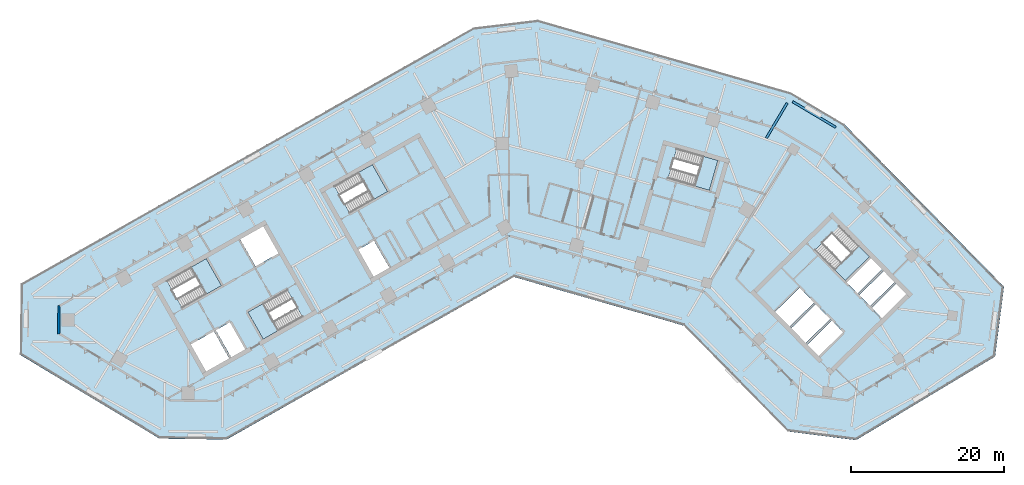
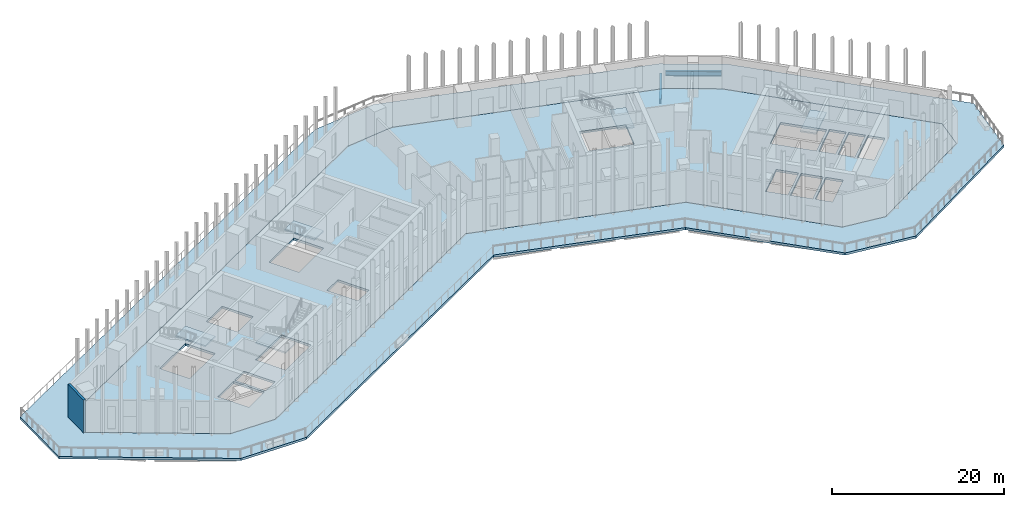
# One storey, part 4 of 17: 7 slabs, 2 beams, 1 wall, 5 elements without a shape of their own.
"""IFC4 building model written with IfcOpenShell, lengths in metres."""

from ifc_helpers import new_model, si_unit, direction, frame, frame_2d, origin, origin_2d, place, context, subcontext, project, spatial, polyline, rectangle, i_section, outline, extrude, material, layer, layer_set, material_profile, profile_set, type_object, element, aggregate, save


model = new_model("IFC4")

# Units and contexts
model_context = context("Model", 3, precision=1e-05, world=origin(), true_north=direction((0.0, 1.0)))
body_context = subcontext(model_context, "Body", "Model", "MODEL_VIEW")
ifc_project = project(units=[si_unit("LENGTHUNIT", "METRE"), si_unit("AREAUNIT", "SQUARE_METRE"), si_unit("VOLUMEUNIT", "CUBIC_METRE"), si_unit("PLANEANGLEUNIT", "RADIAN"), si_unit("MASSUNIT", "GRAM", prefix="KILO")], contexts=[model_context])

# Site, building, storey
site_placement = place(None, origin())
site = spatial("IfcSite", under=ifc_project, at=site_placement, CompositionType="ELEMENT")
building_placement = place(site_placement, origin())
building = spatial("IfcBuilding", under=site, at=building_placement, Name="Binnacle Exchange Tower", CompositionType="ELEMENT")
storey_placement = place(building_placement, frame((0.0, 0.0, 26.5)))
storey = spatial("IfcBuildingStorey", under=building, at=storey_placement, Name="L05", CompositionType="ELEMENT", Elevation=26.5)

# Beams
ifc_material_1 = material(Name="Steel S355 (SHN355)", Category="steel")
ifc_material_profile_1 = material_profile(ifc_material_1, i_section(OverallWidth=0.300048828125, OverallDepth=0.699951171875, WebThickness=0.012939453125, FlangeThickness=0.02392578125, FilletRadius=0.028076171875, at=origin_2d()), Name="H 700x300x13x24")
ifc_profile_set_1 = profile_set([ifc_material_profile_1], Name="Steel S355 (SHN355)")
beam_type_1 = type_object("IfcBeamType", Name="Edge girder H 700x300x13x24 Steel S355 (SHN355)", PredefinedType="SPANDREL", material=ifc_profile_set_1)
beam_1_placement = place(storey_placement, frame((36.972412109375, 65.474609375, -0.669921875), z_axis=(0.859408777726, -0.51128910879, 0.0), x_axis=(0.51128910879, 0.859408777726, 0.0)))
element("IfcBeam", 1, at=beam_1_placement, inside=storey, type_object=beam_type_1, Name="S:BM:edge:L05:063", PredefinedType="SPANDREL", context=body_context, shape_type="SweptSolid", body=[
    extrude(i_section(OverallWidth=0.300048828125, OverallDepth=0.699951171875, WebThickness=0.012939453125, FlangeThickness=0.02392578125, FilletRadius=0.028076171875, at=origin_2d()), origin(), (0.0, 0.0, 1.0), 6.546142578125),
])
ifc_material_profile_2 = material_profile(ifc_material_1, i_section(OverallWidth=0.300048828125, OverallDepth=0.699951171875, WebThickness=0.012939453125, FlangeThickness=0.02392578125, FilletRadius=0.028076171875, at=origin_2d()), Name="H 700x300x13x24")
ifc_profile_set_2 = profile_set([ifc_material_profile_2], Name="Steel S355 (SHN355)")
beam_type_2 = type_object("IfcBeamType", Name="Floor beam H 700x300x13x24 Steel S355 (SHN355)", PredefinedType="BEAM", material=ifc_profile_set_2)
beam_2_placement = place(storey_placement, frame((36.263916015625, 65.294677734375, -0.669921875), z_axis=(-0.511292595627, -0.859406703288, 0.0), x_axis=(0.859406703288, -0.511292595627, 0.0)))
element("IfcBeam", 2, at=beam_2_placement, inside=storey, type_object=beam_type_2, Name="S:BM:cross:L05:115", PredefinedType="BEAM", context=body_context, shape_type="SweptSolid", body=[
    extrude(i_section(OverallWidth=0.300048828125, OverallDepth=0.699951171875, WebThickness=0.012939453125, FlangeThickness=0.02392578125, FilletRadius=0.028076171875, at=origin_2d()), origin(), (0.0, 0.0, 1.0), 5.31884765625),
])

# Slab
ifc_material_2 = material(Name="Concrete C35/45", Category="concrete")
ifc_layer_1 = layer(ifc_material_2, 0.320068359375)
ifc_layer_set_1 = layer_set([ifc_layer_1], Name="Floor slab 320 Concrete C35/45")
slab_type_1 = type_object("IfcSlabType", Name="Floor slab 320 Concrete C35/45", PredefinedType="FLOOR", material=ifc_layer_set_1)
slab_1_placement = place(storey_placement, frame((0.0, 0.0, -0.320068359375)))
element("IfcSlab", 3, at=slab_1_placement, inside=storey, type_object=slab_type_1, Name="S:SL:L05:01", PredefinedType="FLOOR", context=body_context, shape_type="SweptSolid", body=[
    extrude(outline(polyline([(59.262939453125, 39.5791015625), (58.716064453125, 35.280029296875), (44.14404296875, 26.5244140625), (38.69091796875, 27.21826171875), (25.43603515625, 40.706298828125), (0.0, 48.0), (-38.097900390625, 26.4453125), (-44.14404296875, 26.5244140625), (-58.716064453125, 35.280029296875), (-58.669921875, 38.80615234375), (-3.046142578125, 70.276611328125), (3.364501953125, 71.035400390625), (34.789794921875, 62.024169921875), (40.607421875, 58.56298828125), (59.262939453125, 39.5791015625)]), holes=[polyline([(-38.4794921875, 35.529296875), (-41.61279296875, 33.756591796875), (-39.544677734375, 30.10107421875), (-36.411376953125, 31.873779296875), (-38.4794921875, 35.529296875)]), polyline([(-34.322509765625, 33.0556640625), (-36.390625, 36.711181640625), (-38.21826171875, 35.677001953125), (-36.150146484375, 32.021484375), (-34.322509765625, 33.0556640625)]), polyline([(-34.040771484375, 38.04052734375), (-32.04638671875, 34.515625), (-26.9287109375, 37.4111328125), (-28.923095703125, 40.93603515625), (-34.040771484375, 38.04052734375)]), polyline([(-37.486572265625, 41.4912109375), (-39.480712890625, 45.01611328125), (-44.598388671875, 42.12060546875), (-42.604248046875, 38.595703125), (-37.486572265625, 41.4912109375)]), polyline([(-15.53076171875, 43.6875), (-17.598876953125, 47.343017578125), (-19.77490234375, 46.11181640625), (-17.70654296875, 42.456298828125), (-15.53076171875, 43.6875)]), polyline([(-29.914306640625, 45.775390625), (-31.982666015625, 49.430908203125), (-35.115966796875, 47.657958984375), (-33.047607421875, 44.00244140625), (-29.914306640625, 45.775390625)]), polyline([(-15.822509765625, 53.748046875), (-17.81689453125, 57.27294921875), (-22.760498046875, 54.47607421875), (-20.76611328125, 50.950927734375), (-15.822509765625, 53.748046875)]), polyline([(26.111328125, 53.9169921875), (27.227783203125, 57.810302734375), (21.864013671875, 59.348388671875), (20.74755859375, 55.455078125), (26.111328125, 53.9169921875)]), polyline([(40.268798828125, 32.201904296875), (43.549560546875, 35.426025390625), (42.07763671875, 36.923828125), (38.796875, 33.69970703125), (40.268798828125, 32.201904296875)]), polyline([(38.58642578125, 33.913818359375), (41.867431640625, 37.137939453125), (39.97509765625, 39.063720703125), (36.694091796875, 35.83935546875), (38.58642578125, 33.913818359375)]), polyline([(36.48388671875, 36.053466796875), (39.7646484375, 39.277587890625), (37.872314453125, 41.203369140625), (34.59130859375, 37.979248046875), (36.48388671875, 36.053466796875)]), polyline([(48.726806640625, 37.148681640625), (52.0078125, 40.372802734375), (50.577880859375, 41.827880859375), (47.296875, 38.603759765625), (48.726806640625, 37.148681640625)]), polyline([(47.086669921875, 38.817626953125), (50.36767578125, 42.0419921875), (48.944580078125, 43.48974609375), (45.663818359375, 40.265625), (47.086669921875, 38.817626953125)]), polyline([(45.45361328125, 40.4794921875), (48.734375, 43.703857421875), (47.3115234375, 45.151611328125), (44.030517578125, 41.927490234375), (45.45361328125, 40.4794921875)]), polyline([(43.8203125, 42.141357421875), (46.994384765625, 45.260498046875), (43.083251953125, 49.240478515625), (39.9091796875, 46.121337890625), (43.8203125, 42.141357421875)])]), origin(), (0.0, 0.0, 1.0), 0.320068359375),
])

# Stair, slab
stair_type = type_object("IfcStairType", Name="STAIR 28 RISERS 179", PredefinedType="HALF_TURN_STAIR", material=ifc_material_2)
stair_1_placement = place(storey_placement, origin())
stair_1 = element("IfcStair", 4, at=stair_1_placement, inside=storey, type_object=stair_type, Name="L05 Escape stair A1", PredefinedType="HALF_TURN_STAIR")
ifc_layer_2 = layer(ifc_material_2, 0.199951171875)
ifc_layer_set_2 = layer_set([ifc_layer_2], Name="STAIR LANDING 200")
slab_type_2 = type_object("IfcSlabType", Name="STAIR LANDING 200", PredefinedType="LANDING", material=ifc_layer_set_2)
slab_2_placement = place(storey_placement, frame((0.0, 0.0, 2.300048828125)))
slab_2 = element("IfcSlab", 5, at=slab_2_placement, type_object=slab_type_2, Name="STA1 landing 1", PredefinedType="LANDING", context=body_context, shape_type="SweptSolid", body=[
    extrude(outline(polyline([(-39.470947265625, 40.368408203125), (-37.486572265625, 41.4912109375), (-39.48095703125, 45.01611328125), (-41.46533203125, 43.893310546875), (-39.470947265625, 40.368408203125)])), origin(), (0.0, 0.0, 1.0), 0.199951171875),
])
aggregate(stair_1, [slab_2])

stair_2_placement = place(storey_placement, origin())
stair_2 = element("IfcStair", 6, at=stair_2_placement, inside=storey, type_object=stair_type, Name="L05 Escape stair A2", PredefinedType="HALF_TURN_STAIR")
slab_3_placement = place(storey_placement, frame((0.0, 0.0, 2.300048828125)))
slab_3 = element("IfcSlab", 7, at=slab_3_placement, type_object=slab_type_2, Name="STA2 landing 1", PredefinedType="LANDING", context=body_context, shape_type="SweptSolid", body=[
    extrude(outline(polyline([(-32.05615234375, 39.163330078125), (-34.040771484375, 38.04052734375), (-32.04638671875, 34.515625), (-30.06201171875, 35.638427734375), (-32.05615234375, 39.163330078125)])), origin(), (0.0, 0.0, 1.0), 0.199951171875),
])
aggregate(stair_2, [slab_3])

stair_3_placement = place(storey_placement, origin())
stair_3 = element("IfcStair", 8, at=stair_3_placement, inside=storey, type_object=stair_type, Name="L05 Escape stair B1", PredefinedType="HALF_TURN_STAIR")
slab_4_placement = place(storey_placement, frame((0.0, 0.0, 2.300048828125)))
slab_4 = element("IfcSlab", 9, at=slab_4_placement, type_object=slab_type_2, Name="STB1 landing 1", PredefinedType="LANDING", context=body_context, shape_type="SweptSolid", body=[
    extrude(outline(polyline([(42.4326171875, 43.5537109375), (43.8203125, 42.141357421875), (46.994384765625, 45.260498046875), (45.606689453125, 46.672607421875), (42.4326171875, 43.5537109375)])), origin(), (0.0, 0.0, 1.0), 0.199951171875),
])
aggregate(stair_3, [slab_4])

stair_4_placement = place(storey_placement, origin())
stair_4 = element("IfcStair", 10, at=stair_4_placement, inside=storey, type_object=stair_type, Name="L05 Escape stair C1", PredefinedType="HALF_TURN_STAIR")
slab_5_placement = place(storey_placement, frame((0.0, 0.0, 2.300048828125)))
slab_5 = element("IfcSlab", 11, at=slab_5_placement, type_object=slab_type_2, Name="STC1 landing 1", PredefinedType="LANDING", context=body_context, shape_type="SweptSolid", body=[
    extrude(outline(polyline([(-17.6328125, 52.7236328125), (-15.822509765625, 53.748046875), (-17.81689453125, 57.27294921875), (-19.627197265625, 56.248779296875), (-17.6328125, 52.7236328125)])), origin(), (0.0, 0.0, 1.0), 0.199951171875),
])
aggregate(stair_4, [slab_5])

stair_5_placement = place(storey_placement, origin())
stair_5 = element("IfcStair", 12, at=stair_5_placement, inside=storey, type_object=stair_type, Name="L05 Escape stair D1", PredefinedType="HALF_TURN_STAIR")
slab_6_placement = place(storey_placement, frame((0.0, 0.0, 2.300048828125)))
slab_6 = element("IfcSlab", 13, at=slab_6_placement, type_object=slab_type_2, Name="STD1 landing 1", PredefinedType="LANDING", context=body_context, shape_type="SweptSolid", body=[
    extrude(outline(polyline([(24.2080078125, 54.462890625), (26.111328125, 53.917236328125), (27.227783203125, 57.810302734375), (25.324462890625, 58.35595703125), (24.2080078125, 54.462890625)])), origin(), (0.0, 0.0, 1.0), 0.199951171875),
])
aggregate(stair_5, [slab_6])

# Slab
ifc_layer_3 = layer(ifc_material_2, 0.320068359375)
ifc_layer_set_3 = layer_set([ifc_layer_3], Name="Terrace slab 320 Concrete C35/45")
slab_type_3 = type_object("IfcSlabType", Name="Terrace slab 320 Concrete C35/45", PredefinedType="ROOF", material=ifc_layer_set_3)
slab_7_placement = place(storey_placement, frame((0.0, 0.0, -0.320068359375)))
element("IfcSlab", 14, at=slab_7_placement, inside=storey, type_object=slab_type_3, Name="TERRACE P slab", PredefinedType="ROOF", context=body_context, shape_type="SweptSolid", body=[
    extrude(outline(polyline([(64.52880859375, 41.35400390625), (63.369873046875, 32.243408203125), (45.233154296875, 21.345703125), (36.33984375, 22.47705078125), (22.79248046875, 36.2626953125), (0.63720703125, 42.61572265625), (-36.81201171875, 21.427978515625), (-45.560791015625, 21.54248046875), (-63.753173828125, 32.4736328125), (-63.6318359375, 41.74365234375), (-4.6328125, 75.12353515625), (3.775634765625, 76.118896484375), (36.7900390625, 66.652099609375), (43.719970703125, 62.529296875), (64.52880859375, 41.35400390625)]), holes=[polyline([(34.789794921875, 62.024169921875), (3.364501953125, 71.035400390625), (-3.046142578125, 70.276611328125), (-58.669921875, 38.80615234375), (-58.716064453125, 35.280029296875), (-44.14404296875, 26.5244140625), (-38.097900390625, 26.4453125), (0.0, 48.0), (25.43603515625, 40.706298828125), (38.69091796875, 27.21826171875), (44.14404296875, 26.5244140625), (58.716064453125, 35.280029296875), (59.262939453125, 39.5791015625), (40.607421875, 58.56298828125), (34.789794921875, 62.024169921875)])]), origin(), (0.0, 0.0, 1.0), 0.320068359375),
])

# Wall
ifc_material_3 = material(Name="Bronze aluminium cladding", Category="aluminium")
ifc_layer_4 = layer(ifc_material_3, 0.300048828125)
ifc_layer_set_4 = layer_set([ifc_layer_4], Name="External wall - spandrel 300")
wall_type = type_object("IfcWallType", Name="External wall - spandrel 300", PredefinedType="STANDARD", material=ifc_layer_set_4)
wall_placement = place(storey_placement, frame((-58.717041015625, 35.19384765625, 0.0), z_axis=(0.0, 0.0, 1.0), x_axis=(0.013069053407, 0.999914596275, 0.0)))
element("IfcWall", 15, at=wall_placement, inside=storey, type_object=wall_type, Name="External wall EW-F04 L05", PredefinedType="STANDARD", context=body_context, shape_type="SweptSolid", body=[
    extrude(rectangle(XDim=3.69873046875, YDim=0.300048828125, at=frame_2d((1.849365234375, 0.0))), origin(), (0.0, 0.0, 1.0), 4.679931640625),
])

save(model, "model.ifc")
